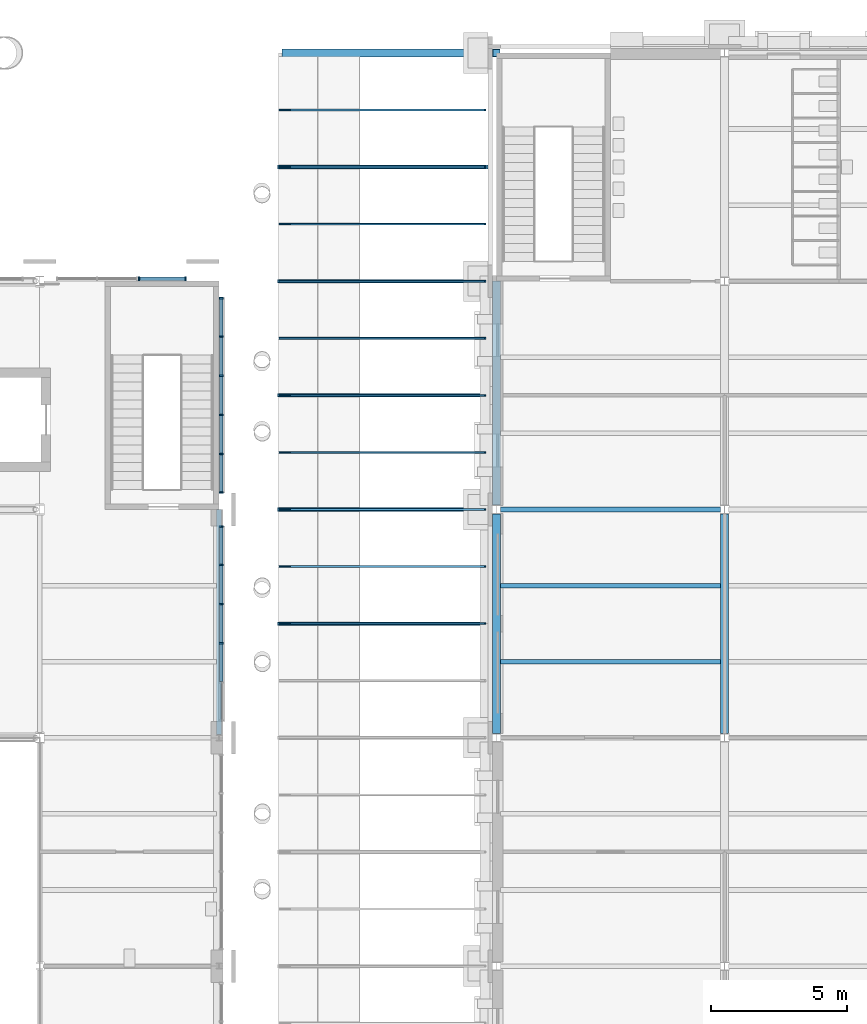
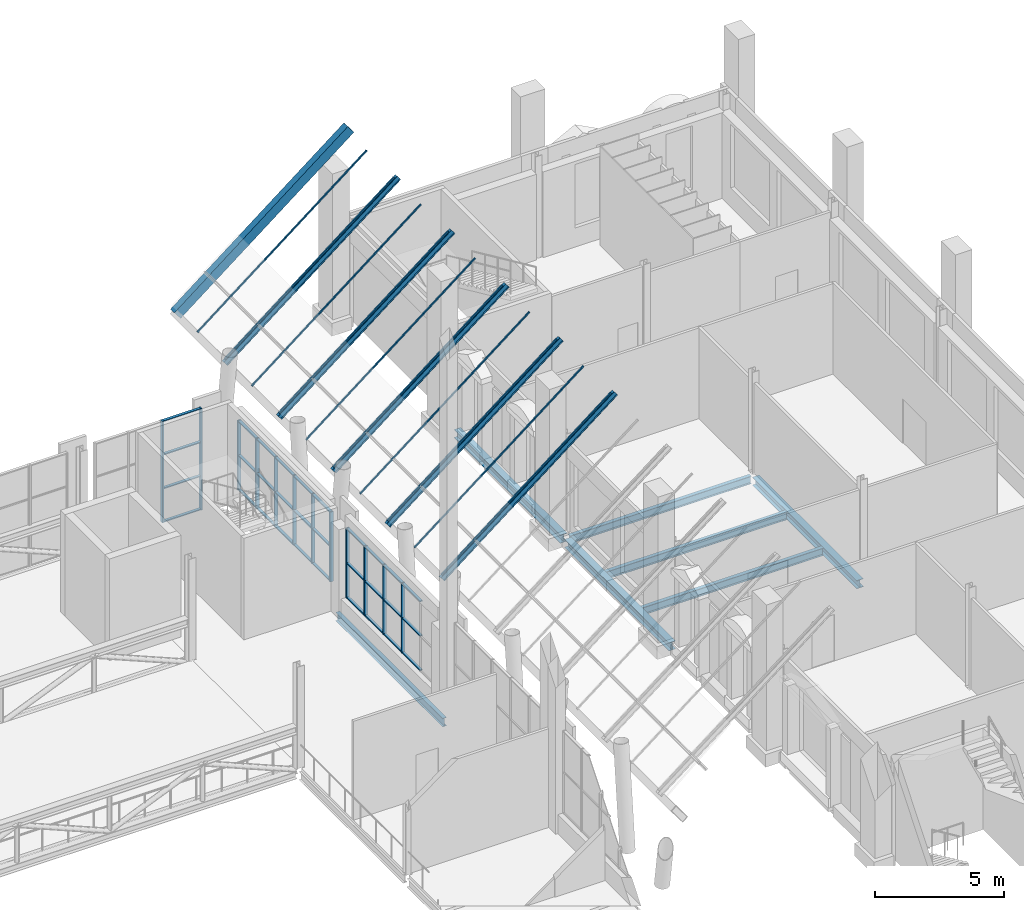
# One storey, part 38 of 76: 58 members, 8 beams, 3 elements without a shape of their own.
"""IFC4 building model written with IfcOpenShell, lengths in metres."""

import ifcopenshell
import ifcopenshell.guid

model = None  # the IFC model being written
_history = None  # IfcOwnerHistory: only IFC2X3 demands one
_inside = {}  # id of a spatial element -> (the spatial element, [elements in it])
_under = {}  # id of a project, library or spatial element -> (it, [spatial elements below it])
_declared = {}  # id of a project -> (the project, [libraries it declares])
_typed = {}  # id of a type object -> (the type object, [elements of that type])
_made_of = {}  # id of a material, layer set ... -> (it, [elements and type objects made of it])


def new_model(schema):
    """Start an empty IFC model of exactly this schema.

    Asked for "IFC4X3", IfcOpenShell would pick the latest addendum, in which some entities
    have other attributes; the version numbers below select the first issue.
    IFC2X3 requires an IfcOwnerHistory on every rooted entity: one is made here for all.
    """
    global model, _history
    if schema == "IFC4X3":
        model = ifcopenshell.file(schema_version=(4, 3, 0, 0))
    else:
        model = ifcopenshell.file(schema=schema)
    _inside.clear()
    _under.clear()
    _declared.clear()
    _typed.clear()
    _made_of.clear()
    _history = None
    if model.schema == "IFC2X3":
        org = make("IfcOrganization", Name="unknown")
        user = make(
            "IfcPersonAndOrganization",
            ThePerson=make("IfcPerson", FamilyName="unknown"),
            TheOrganization=org,
        )
        app = make(
            "IfcApplication",
            ApplicationDeveloper=org,
            Version="unknown",
            ApplicationFullName="unknown",
            ApplicationIdentifier="unknown",
        )
        _history = make(
            "IfcOwnerHistory",
            OwningUser=user,
            OwningApplication=app,
            ChangeAction="ADDED",
            CreationDate=0,
        )
    return model


def make(cls, **values):
    """One entity of the class cls with the attributes given. An attribute that is None is left unset."""
    return model.create_entity(
        cls, **{name: value for name, value in values.items() if value is not None}
    )


def rooted(cls, **values):
    """An entity with a GlobalId (a new one), such as an element, a storey or a relation."""
    return make(cls, GlobalId=ifcopenshell.guid.new(), OwnerHistory=_history, **values)


def si_unit(unit_type, name, prefix=None):
    """IfcSIUnit, for example si_unit("LENGTHUNIT", "METRE", prefix="MILLI")."""
    return make("IfcSIUnit", UnitType=unit_type, Prefix=prefix, Name=name)


def assignment(units):
    """IfcUnitAssignment: the units of a project."""
    return None if units is None else make("IfcUnitAssignment", Units=units)


def point(xyz):
    """IfcCartesianPoint."""
    return None if xyz is None else make("IfcCartesianPoint", Coordinates=xyz)


def direction(xyz):
    """IfcDirection."""
    return None if xyz is None else make("IfcDirection", DirectionRatios=xyz)


def frame(location, z_axis=None, x_axis=None):
    """IfcAxis2Placement3D, a coordinate frame: its origin and axes. An axis left out is left unset."""
    return make(
        "IfcAxis2Placement3D",
        Location=point(location),
        Axis=direction(z_axis),
        RefDirection=direction(x_axis),
    )


def frame_2d(location, x_axis=None):
    """IfcAxis2Placement2D, a coordinate frame in the plane: its origin and x axis."""
    return make(
        "IfcAxis2Placement2D", Location=point(location), RefDirection=direction(x_axis)
    )


def origin():
    """The frame at (0, 0, 0) with its axes left unset."""
    return frame((0.0, 0.0, 0.0))


def origin_2d():
    """The frame at (0, 0) in the plane with its x axis left unset."""
    return frame_2d((0.0, 0.0))


def place(relative_to, where):
    """IfcLocalPlacement: puts the frame where relative to a parent placement (None: the world)."""
    return make(
        "IfcLocalPlacement", PlacementRelTo=relative_to, RelativePlacement=where
    )


def context(
    kind, dimensions, precision=None, world=None, true_north=None, identifier=None
):
    """IfcGeometricRepresentationContext, for example the 3D "Model" context."""
    return make(
        "IfcGeometricRepresentationContext",
        ContextIdentifier=identifier,
        ContextType=kind,
        CoordinateSpaceDimension=dimensions,
        Precision=precision,
        WorldCoordinateSystem=world,
        TrueNorth=true_north,
    )


def subcontext(parent, identifier, kind, view, scale=None):
    """IfcGeometricRepresentationSubContext, for example "Body" below "Model"."""
    return make(
        "IfcGeometricRepresentationSubContext",
        ContextIdentifier=identifier,
        ContextType=kind,
        ParentContext=parent,
        TargetScale=scale,
        TargetView=view,
    )


def project(units=None, contexts=None):
    """IfcProject with its units and contexts."""
    return rooted(
        "IfcProject",
        Name="project",
        RepresentationContexts=contexts,
        UnitsInContext=assignment(units),
    )


def spatial(cls, under=None, at=None, **own):
    """A site, building, storey or space (cls), placed at a placement, below another one or the project."""
    s = rooted(cls, ObjectPlacement=at, **own)
    if under is not None:
        _under.setdefault(under.id(), (under, []))[1].append(s)
    return s


def polyline(points):
    """IfcPolyline through the points."""
    return make("IfcPolyline", Points=[point(p) for p in points])


def profile(cls, at=None, kind="AREA", **sizes):
    """A parametric profile (cls). Its sizes go by their IFC names, for example OverallWidth=200.0."""
    return make(cls, ProfileType=kind, Position=at, **sizes)


def rectangle(**sizes):
    """IfcRectangleProfileDef."""
    return profile("IfcRectangleProfileDef", **sizes)


def i_section(**sizes):
    """IfcIShapeProfileDef."""
    return profile("IfcIShapeProfileDef", **sizes)


def outline(outer, holes=None, kind="AREA"):
    """IfcArbitraryClosedProfileDef: a profile drawn as a closed curve; with holes, ...WithVoids."""
    if holes is None:
        return make("IfcArbitraryClosedProfileDef", ProfileType=kind, OuterCurve=outer)
    return make(
        "IfcArbitraryProfileDefWithVoids",
        ProfileType=kind,
        OuterCurve=outer,
        InnerCurves=holes,
    )


def extrude(swept, where, along, depth):
    """IfcExtrudedAreaSolid: the profile swept, set in the frame where, extruded along a direction by depth."""
    return make(
        "IfcExtrudedAreaSolid",
        SweptArea=swept,
        Position=where,
        ExtrudedDirection=direction(along),
        Depth=depth,
    )


def shape(context_of_items, identifier, shape_type, items):
    """IfcShapeRepresentation: the items that make up one representation, for example the "Body"."""
    return make(
        "IfcShapeRepresentation",
        ContextOfItems=context_of_items,
        RepresentationIdentifier=identifier,
        RepresentationType=shape_type,
        Items=items,
    )


def material(Name=None, Category=None):
    """IfcMaterial."""
    return make("IfcMaterial", Name=Name, Category=Category)


def material_profile(
    of_material, cross_section, Name=None, Category=None, Priority=None
):
    """IfcMaterialProfile: a cross section and its material."""
    return make(
        "IfcMaterialProfile",
        Name=Name,
        Material=of_material,
        Profile=cross_section,
        Priority=Priority,
        Category=Category,
    )


def profile_set(profiles, Name=None, composite=None):
    """IfcMaterialProfileSet."""
    return make(
        "IfcMaterialProfileSet",
        Name=Name,
        MaterialProfiles=profiles,
        CompositeProfile=composite,
    )


def made_of(thing, what):
    """Note that an element or type object is made of a material, layer set ...; save() writes the relation."""
    if what is not None:
        _made_of.setdefault(what.id(), (what, []))[1].append(thing)
    return thing


def type_object(cls, material=None, **own):
    """A type object (cls), such as IfcWallType, which elements share."""
    return made_of(rooted(cls, **own), material)


def element(
    cls,
    number,
    at=None,
    inside=None,
    cuts=None,
    type_object=None,
    material=None,
    context=None,
    identifier="Body",
    shape_type=None,
    held_by="IfcProductDefinitionShape",
    body=None,
    shapes=None,
    **own,
):
    """One element of the class cls, such as IfcWall. Its Tag is "e" and its number.

    at: its placement. inside: the storey or other place that contains it. cuts: it is an
    opening in that element (IfcRelVoidsElement). A single representation is given by context,
    identifier, shape_type and body (its items); several are given by shapes. held_by: the class
    of the entity that holds the representations. save() writes the other relations.
    """
    e = rooted(cls, Tag="e%d" % number, ObjectPlacement=at, **own)
    if body is not None:
        shapes = [shape(context, identifier, shape_type, body)]
    if shapes is not None:
        e.Representation = make(held_by, Representations=shapes)
    if inside is not None:
        _inside.setdefault(inside.id(), (inside, []))[1].append(e)
    if cuts is not None:
        rooted(
            "IfcRelVoidsElement", RelatingBuildingElement=cuts, RelatedOpeningElement=e
        )
    if type_object is not None:
        _typed.setdefault(type_object.id(), (type_object, []))[1].append(e)
    return made_of(e, material)


def aggregate(whole, parts):
    """IfcRelAggregates: a whole, such as a stair, and the parts it consists of."""
    return rooted("IfcRelAggregates", RelatingObject=whole, RelatedObjects=parts)


def save(model, path):
    """Write the relations noted so far, then the file.

    IfcRelAggregates (storeys below a building ...), IfcRelContainedInSpatialStructure (elements
    in a storey), IfcRelDefinesByType, IfcRelAssociatesMaterial and IfcRelDeclares: one each for
    every whole, place, type object, material and project.
    """
    for whole, parts in _under.values():
        aggregate(whole, parts)
    for where, things in _inside.values():
        rooted(
            "IfcRelContainedInSpatialStructure",
            RelatedElements=things,
            RelatingStructure=where,
        )
    for kind, things in _typed.values():
        rooted("IfcRelDefinesByType", RelatedObjects=things, RelatingType=kind)
    for what, things in _made_of.values():
        rooted("IfcRelAssociatesMaterial", RelatedObjects=things, RelatingMaterial=what)
    for by, libraries in _declared.values():
        rooted("IfcRelDeclares", RelatingContext=by, RelatedDefinitions=libraries)
    model.write(path)


model = new_model("IFC4")

# Units and contexts
model_context = context("Model", 3, precision=1e-05, world=origin(), true_north=direction((0.0, 1.0)))
body_context = subcontext(model_context, "Body", "Model", "MODEL_VIEW")
ifc_project = project(units=[si_unit("LENGTHUNIT", "METRE"), si_unit("AREAUNIT", "SQUARE_METRE"), si_unit("VOLUMEUNIT", "CUBIC_METRE"), si_unit("PLANEANGLEUNIT", "RADIAN"), si_unit("MASSUNIT", "GRAM", prefix="KILO")], contexts=[model_context])

# Site, building, storey
site_placement = place(None, origin())
site = spatial("IfcSite", under=ifc_project, at=site_placement, CompositionType="ELEMENT")
building_placement = place(site_placement, origin())
building = spatial("IfcBuilding", under=site, at=building_placement, Name="Sava Quay Ferry Terminal", CompositionType="ELEMENT")
storey_placement = place(building_placement, frame((0.0, 0.0, 6.0)))
storey = spatial("IfcBuildingStorey", under=building, at=storey_placement, Name="L01", CompositionType="ELEMENT", Elevation=6.0)

# Beams
ifc_material_1 = material(Name="Steel S355", Category="steel")
ifc_material_profile_1 = material_profile(ifc_material_1, i_section(OverallWidth=0.169921875, OverallDepth=0.360107421875, WebThickness=0.008056640625, FlangeThickness=0.0126953125, at=origin_2d()), Name="IPE 360")
ifc_profile_set_1 = profile_set([ifc_material_profile_1], Name="Steel S355")
beam_type_1 = type_object("IfcBeamType", Name="Beam IPE 360", PredefinedType="BEAM", material=ifc_profile_set_1)
for number, where, z_axis, x_axis, name in (
    (1, (92.550048828125, 92.39990234375, -0.31005859375), (1.0, 0.0, 0.0), (0.0, 1.0, 0.0), "Beam L01"),
    (2, (92.550048828125, 86.800048828125, -0.31005859375), (1.0, 0.0, 0.0), (0.0, 1.0, 0.0), "Secondary beam L01"),
    (3, (92.550048828125, 89.60009765625, -0.31005859375), (1.0, 0.0, 0.0), (0.0, 1.0, 0.0), "Secondary beam L01"),
):
    element("IfcBeam", number, at=place(storey_placement, frame(where, z_axis=z_axis, x_axis=x_axis)), inside=storey, type_object=beam_type_1, Name=name, PredefinedType="BEAM", context=body_context, shape_type="SweptSolid", body=[
        extrude(i_section(OverallWidth=0.169921875, OverallDepth=0.360107421875, WebThickness=0.008056640625, FlangeThickness=0.0126953125, at=origin_2d()), origin(), (0.0, 0.0, 1.0), 8.099853515625),
    ])
ifc_material_2 = material(Name="Steel S355", Category="steel")
ifc_material_profile_2 = material_profile(ifc_material_2, i_section(OverallWidth=0.179931640625, OverallDepth=0.39990234375, WebThickness=0.008544921875, FlangeThickness=0.013427734375, at=origin_2d()), Name="IPE 400")
ifc_profile_set_2 = profile_set([ifc_material_profile_2], Name="Steel S355")
beam_type_2 = type_object("IfcBeamType", Name="Beam IPE 400", PredefinedType="BEAM", material=ifc_profile_set_2)
beam_1_placement = place(storey_placement, frame((82.199951171875, 84.1201171875, -0.330078125), z_axis=(0.0, 1.0, 0.0), x_axis=(-1.0, 0.0, 0.0)))
element("IfcBeam", 4, at=beam_1_placement, inside=storey, type_object=beam_type_2, Name="Girder L01", PredefinedType="BEAM", context=body_context, shape_type="SweptSolid", body=[
    extrude(i_section(OverallWidth=0.179931640625, OverallDepth=0.39990234375, WebThickness=0.008544921875, FlangeThickness=0.013427734375, at=origin_2d()), origin(), (0.0, 0.0, 1.0), 8.27978515625),
])
ifc_material_3 = material(Name="Steel S355", Category="steel")
ifc_material_profile_3 = material_profile(ifc_material_3, outline(polyline([(-0.14990234375, -0.228515625), (0.14990234375, -0.228515625), (0.14990234375, 0.228515625), (-0.14990234375, 0.228515625), (-0.14990234375, -0.228515625)]), holes=[polyline([(-0.1298828125, -0.20849609375), (-0.1298828125, 0.20849609375), (0.1298828125, 0.20849609375), (0.1298828125, -0.20849609375), (-0.1298828125, -0.20849609375)])]), Name="Box 457x300x20 built-up")
ifc_profile_set_3 = profile_set([ifc_material_profile_3], Name="Steel S355")
beam_type_3 = type_object("IfcBeamType", Name="Fascia beam Box 457x300x20", PredefinedType="BEAM", material=ifc_profile_set_3)
beam_2_placement = place(storey_placement, frame((92.39990234375, 109.199951171875, 9.0), z_axis=(-0.786314900633, 0.0, -0.617825927784), x_axis=(0.0, -1.0, 0.0)))
element("IfcBeam", 5, at=beam_2_placement, inside=storey, type_object=beam_type_3, Name="Passage roof edge fascia beam ED2", PredefinedType="BEAM", context=body_context, shape_type="SweptSolid", body=[
    extrude(outline(polyline([(-0.14990234375, -0.228515625), (0.14990234375, -0.228515625), (0.14990234375, 0.228515625), (-0.14990234375, 0.228515625), (-0.14990234375, -0.228515625)]), holes=[polyline([(-0.1298828125, -0.20849609375), (-0.1298828125, 0.20849609375), (0.1298828125, 0.20849609375), (0.1298828125, -0.20849609375), (-0.1298828125, -0.20849609375)])]), origin(), (0.0, 0.0, 1.0), 9.856201171875),
])
ifc_material_4 = material(Name="Steel S355", Category="steel")
ifc_material_profile_4 = material_profile(ifc_material_4, i_section(OverallWidth=0.300048828125, OverallDepth=0.389892578125, WebThickness=0.010986328125, FlangeThickness=0.01904296875, at=origin_2d()), Name="HE 400 A")
ifc_profile_set_4 = profile_set([ifc_material_profile_4], Name="Steel S355")
beam_type_4 = type_object("IfcBeamType", Name="Girder HE 400 A", PredefinedType="BEAM", material=ifc_profile_set_4)
beam_3_placement = place(storey_placement, frame((92.39990234375, 84.159912109375, -0.324951171875), z_axis=(0.0, 1.0, 0.0), x_axis=(-1.0, 0.0, 0.0)))
element("IfcBeam", 6, at=beam_3_placement, inside=storey, type_object=beam_type_4, Name="Girder L01", PredefinedType="BEAM", context=body_context, shape_type="SweptSolid", body=[
    extrude(i_section(OverallWidth=0.300048828125, OverallDepth=0.389892578125, WebThickness=0.010986328125, FlangeThickness=0.01904296875, at=origin_2d()), origin(), (0.0, 0.0, 1.0), 8.080078125),
])
beam_4_placement = place(storey_placement, frame((92.39990234375, 92.56005859375, -0.324951171875), z_axis=(0.0, 1.0, 0.0), x_axis=(-1.0, 0.0, 0.0)))
element("IfcBeam", 7, at=beam_4_placement, inside=storey, type_object=beam_type_4, Name="Girder L01", PredefinedType="BEAM", context=body_context, shape_type="SweptSolid", body=[
    extrude(i_section(OverallWidth=0.300048828125, OverallDepth=0.389892578125, WebThickness=0.010986328125, FlangeThickness=0.01904296875, at=origin_2d()), origin(), (0.0, 0.0, 1.0), 8.239990234375),
])
beam_5_placement = place(storey_placement, frame((100.800048828125, 84.159912109375, -0.324951171875), z_axis=(0.0, 1.0, 0.0), x_axis=(-1.0, 0.0, 0.0)))
element("IfcBeam", 8, at=beam_5_placement, inside=storey, type_object=beam_type_4, Name="Girder L01", PredefinedType="BEAM", context=body_context, shape_type="SweptSolid", body=[
    extrude(i_section(OverallWidth=0.300048828125, OverallDepth=0.389892578125, WebThickness=0.010986328125, FlangeThickness=0.01904296875, at=origin_2d()), origin(), (0.0, 0.0, 1.0), 8.080078125),
])

# Members
ifc_material_5 = material(Name="Aluminium EN AW-6063 T6", Category="aluminium")
ifc_material_profile_5 = material_profile(ifc_material_5, rectangle(XDim=0.06005859375, YDim=0.06005859375, at=origin_2d()), Name="Bar 60 x 60")
ifc_profile_set_5 = profile_set([ifc_material_profile_5], Name="Aluminium EN AW-6063 T6")
member_type_1 = type_object("IfcMemberType", Name="Glazing bar 60x60", PredefinedType="USERDEFINED", material=ifc_profile_set_5)
for number, where, z_axis, x_axis, name in (
    (9, (84.413330078125, 107.10009765625, 3.39697265625), (0.78632361853, 0.0, 0.617814832245), (0.0, 1.0, 0.0), "Passage roof glazing bar GL1"),
    (10, (84.413330078125, 105.0, 3.39697265625), (0.78632361853, 0.0, 0.617814832245), (0.0, 1.0, 0.0), "Passage roof glazing bar GL2"),
    (11, (84.413330078125, 102.89990234375, 3.39697265625), (0.78632361853, 0.0, 0.617814832245), (0.0, 1.0, 0.0), "Passage roof glazing bar GL3"),
    (12, (84.413330078125, 100.800048828125, 3.39697265625), (0.78632361853, 0.0, 0.617814832245), (0.0, 1.0, 0.0), "Passage roof glazing bar GL4"),
    (13, (84.413330078125, 98.699951171875, 3.39697265625), (0.78632361853, 0.0, 0.617814832245), (0.0, 1.0, 0.0), "Passage roof glazing bar GL5"),
    (14, (84.413330078125, 96.60009765625, 3.39697265625), (0.78632361853, 0.0, 0.617814832245), (0.0, 1.0, 0.0), "Passage roof glazing bar GL6"),
    (15, (84.413330078125, 94.5, 3.39697265625), (0.78632361853, 0.0, 0.617814832245), (0.0, 1.0, 0.0), "Passage roof glazing bar GL7"),
    (16, (84.413330078125, 92.39990234375, 3.39697265625), (0.78632361853, 0.0, 0.617814832245), (0.0, 1.0, 0.0), "Passage roof glazing bar GL8"),
    (17, (84.413330078125, 90.300048828125, 3.39697265625), (0.78632361853, 0.0, 0.617814832245), (0.0, 1.0, 0.0), "Passage roof glazing bar GL9"),
    (18, (84.413330078125, 88.199951171875, 3.39697265625), (0.78632361853, 0.0, 0.617814832245), (0.0, 1.0, 0.0), "Passage roof glazing bar GL10"),
):
    element("IfcMember", number, at=place(storey_placement, frame(where, z_axis=z_axis, x_axis=x_axis)), inside=storey, type_object=member_type_1, Name=name, ObjectType="GLAZING BAR", PredefinedType="USERDEFINED", context=body_context, shape_type="SweptSolid", body=[
        extrude(rectangle(XDim=0.06005859375, YDim=0.06005859375, at=origin_2d()), origin(), (0.0, 0.0, 1.0), 9.62744140625),
    ])

# Curtain wall, members
ifc_material_6 = material(Name="Aluminium and glass curtain wall, double low-e glazed", Category="aluminium")
curtain_wall_type_1 = type_object("IfcCurtainWallType", Name="Curtain wall CW-F flank", PredefinedType="NOTDEFINED", material=ifc_material_6)
curtain_wall_1_placement = place(storey_placement, origin())
curtain_wall_1 = element("IfcCurtainWall", 19, at=curtain_wall_1_placement, inside=storey, type_object=curtain_wall_type_1, Name="Curtain wall D-E L01 bay 5", PredefinedType="NOTDEFINED")
ifc_material_7 = material(Name="Aluminium EN AW-6063 T6", Category="aluminium")
ifc_material_profile_6 = material_profile(ifc_material_7, rectangle(XDim=0.14990234375, YDim=0.06005859375, at=origin_2d()), Name="Mullion 60x150 aluminium")
ifc_profile_set_6 = profile_set([ifc_material_profile_6], Name="Aluminium EN AW-6063 T6")
member_type_2 = type_object("IfcMemberType", Name="Mullion 60x150 aluminium", PredefinedType="MULLION", material=ifc_profile_set_6)
member_1_placement = place(storey_placement, frame((82.27490234375, 87.47998046875, 0.89990234375), z_axis=(0.0, 0.0, 1.0), x_axis=(-1.0, 0.0, 0.0)))
member_1 = element("IfcMember", 20, at=member_1_placement, type_object=member_type_2, Name="CW52 mullion 3", PredefinedType="MULLION", context=body_context, shape_type="SweptSolid", body=[
    extrude(rectangle(XDim=0.14990234375, YDim=0.06005859375, at=origin_2d()), origin(), (0.0, 0.0, 1.0), 3.300048828125),
])
member_2_placement = place(storey_placement, frame((82.27490234375, 88.919921875, 0.89990234375), z_axis=(0.0, 0.0, 1.0), x_axis=(-1.0, 0.0, 0.0)))
member_2 = element("IfcMember", 21, at=member_2_placement, type_object=member_type_2, Name="CW52 mullion 4", PredefinedType="MULLION", context=body_context, shape_type="SweptSolid", body=[
    extrude(rectangle(XDim=0.14990234375, YDim=0.06005859375, at=origin_2d()), origin(), (0.0, 0.0, 1.0), 3.300048828125),
])
member_3_placement = place(storey_placement, frame((82.27490234375, 90.360107421875, 0.89990234375), z_axis=(0.0, 0.0, 1.0), x_axis=(-1.0, 0.0, 0.0)))
member_3 = element("IfcMember", 22, at=member_3_placement, type_object=member_type_2, Name="CW52 mullion 5", PredefinedType="MULLION", context=body_context, shape_type="SweptSolid", body=[
    extrude(rectangle(XDim=0.14990234375, YDim=0.06005859375, at=origin_2d()), origin(), (0.0, 0.0, 1.0), 3.300048828125),
])
member_4_placement = place(storey_placement, frame((82.27490234375, 91.77001953125, 0.89990234375), z_axis=(0.0, 0.0, 1.0), x_axis=(-1.0, 0.0, 0.0)))
member_4 = element("IfcMember", 23, at=member_4_placement, type_object=member_type_2, Name="CW52 mullion 6", PredefinedType="MULLION", context=body_context, shape_type="SweptSolid", body=[
    extrude(rectangle(XDim=0.14990234375, YDim=0.06005859375, at=origin_2d()), origin(), (0.0, 0.0, 1.0), 3.300048828125),
])

curtain_wall_2_placement = place(storey_placement, origin())
curtain_wall_2 = element("IfcCurtainWall", 24, at=curtain_wall_2_placement, inside=storey, type_object=curtain_wall_type_1, Name="Curtain wall D-E L01 bay 6", PredefinedType="NOTDEFINED")
member_5_placement = place(storey_placement, frame((82.27490234375, 93.030029296875, 0.89990234375), z_axis=(0.0, 0.0, 1.0), x_axis=(-1.0, 0.0, 0.0)))
member_5 = element("IfcMember", 25, at=member_5_placement, type_object=member_type_2, Name="CW53 mullion 1", PredefinedType="MULLION", context=body_context, shape_type="SweptSolid", body=[
    extrude(rectangle(XDim=0.14990234375, YDim=0.06005859375, at=origin_2d()), origin(), (0.0, 0.0, 1.0), 3.300048828125),
])
member_6_placement = place(storey_placement, frame((82.27490234375, 94.43994140625, 0.89990234375), z_axis=(0.0, 0.0, 1.0), x_axis=(-1.0, 0.0, 0.0)))
member_6 = element("IfcMember", 26, at=member_6_placement, type_object=member_type_2, Name="CW53 mullion 2", PredefinedType="MULLION", context=body_context, shape_type="SweptSolid", body=[
    extrude(rectangle(XDim=0.14990234375, YDim=0.06005859375, at=origin_2d()), origin(), (0.0, 0.0, 1.0), 3.300048828125),
])
member_7_placement = place(storey_placement, frame((82.27490234375, 95.8798828125, 0.89990234375), z_axis=(0.0, 0.0, 1.0), x_axis=(-1.0, 0.0, 0.0)))
member_7 = element("IfcMember", 27, at=member_7_placement, type_object=member_type_2, Name="CW53 mullion 3", PredefinedType="MULLION", context=body_context, shape_type="SweptSolid", body=[
    extrude(rectangle(XDim=0.14990234375, YDim=0.06005859375, at=origin_2d()), origin(), (0.0, 0.0, 1.0), 3.300048828125),
])
member_8_placement = place(storey_placement, frame((82.27490234375, 97.320068359375, 0.89990234375), z_axis=(0.0, 0.0, 1.0), x_axis=(-1.0, 0.0, 0.0)))
member_8 = element("IfcMember", 28, at=member_8_placement, type_object=member_type_2, Name="CW53 mullion 4", PredefinedType="MULLION", context=body_context, shape_type="SweptSolid", body=[
    extrude(rectangle(XDim=0.14990234375, YDim=0.06005859375, at=origin_2d()), origin(), (0.0, 0.0, 1.0), 3.300048828125),
])
member_9_placement = place(storey_placement, frame((82.27490234375, 98.760009765625, 0.89990234375), z_axis=(0.0, 0.0, 1.0), x_axis=(-1.0, 0.0, 0.0)))
member_9 = element("IfcMember", 29, at=member_9_placement, type_object=member_type_2, Name="CW53 mullion 5", PredefinedType="MULLION", context=body_context, shape_type="SweptSolid", body=[
    extrude(rectangle(XDim=0.14990234375, YDim=0.06005859375, at=origin_2d()), origin(), (0.0, 0.0, 1.0), 3.300048828125),
])
member_10_placement = place(storey_placement, frame((82.27490234375, 100.169921875, 0.89990234375), z_axis=(0.0, 0.0, 1.0), x_axis=(-1.0, 0.0, 0.0)))
member_10 = element("IfcMember", 30, at=member_10_placement, type_object=member_type_2, Name="CW53 mullion 6", PredefinedType="MULLION", context=body_context, shape_type="SweptSolid", body=[
    extrude(rectangle(XDim=0.14990234375, YDim=0.06005859375, at=origin_2d()), origin(), (0.0, 0.0, 1.0), 3.300048828125),
])

ifc_material_8 = material(Name="Aluminium and glass curtain wall, double low-e glazed", Category="aluminium")
curtain_wall_type_2 = type_object("IfcCurtainWallType", Name="Curtain wall CW-G gable", PredefinedType="NOTDEFINED", material=ifc_material_8)
curtain_wall_3_placement = place(storey_placement, origin())
curtain_wall_3 = element("IfcCurtainWall", 31, at=curtain_wall_3_placement, inside=storey, type_object=curtain_wall_type_2, Name="Curtain wall D-N L01 bay 61", PredefinedType="NOTDEFINED")
member_11_placement = place(storey_placement, frame((79.25, 100.885009765625, 0.0), z_axis=(0.0, 0.0, 1.0), x_axis=(0.0, 1.0, 0.0)))
member_11 = element("IfcMember", 32, at=member_11_placement, type_object=member_type_2, Name="CW86 mullion 1", PredefinedType="MULLION", context=body_context, shape_type="SweptSolid", body=[
    extrude(rectangle(XDim=0.14990234375, YDim=0.06005859375, at=origin_2d()), origin(), (0.0, 0.0, 1.0), 4.800048828125),
])
member_12_placement = place(storey_placement, frame((80.969970703125, 100.885009765625, 0.0), z_axis=(0.0, 0.0, 1.0), x_axis=(0.0, 1.0, 0.0)))
member_12 = element("IfcMember", 33, at=member_12_placement, type_object=member_type_2, Name="CW86 mullion 2", PredefinedType="MULLION", context=body_context, shape_type="SweptSolid", body=[
    extrude(rectangle(XDim=0.14990234375, YDim=0.06005859375, at=origin_2d()), origin(), (0.0, 0.0, 1.0), 4.800048828125),
])

# Members
ifc_material_9 = material(Name="Steel S355", Category="steel")
ifc_material_profile_7 = material_profile(ifc_material_9, i_section(OverallWidth=0.135009765625, OverallDepth=0.27001953125, WebThickness=0.006591796875, FlangeThickness=0.01025390625, at=origin_2d()), Name="IPE 270")
ifc_profile_set_7 = profile_set([ifc_material_profile_7], Name="Steel S355")
member_type_3 = type_object("IfcMemberType", Name="Roof rafter IPE 270", PredefinedType="RAFTER", material=ifc_profile_set_7)
for number, where, z_axis, x_axis, name in (
    (34, (84.425537109375, 105.0, 3.196533203125), (0.786314900633, 0.0, 0.617825927784), (0.0, 1.0, 0.0), "Passage roof rafter RA1"),
    (35, (84.425537109375, 100.800048828125, 3.196533203125), (0.786314900633, 0.0, 0.617825927784), (0.0, 1.0, 0.0), "Passage roof rafter RA2"),
    (36, (84.425537109375, 96.60009765625, 3.196533203125), (0.786314900633, 0.0, 0.617825927784), (0.0, 1.0, 0.0), "Passage roof rafter RA3"),
    (37, (84.425537109375, 92.39990234375, 3.196533203125), (0.786314900633, 0.0, 0.617825927784), (0.0, 1.0, 0.0), "Passage roof rafter RA4"),
    (38, (84.425537109375, 88.199951171875, 3.196533203125), (0.786314900633, 0.0, 0.617825927784), (0.0, 1.0, 0.0), "Passage roof rafter RA5"),
):
    element("IfcMember", number, at=place(storey_placement, frame(where, z_axis=z_axis, x_axis=x_axis)), inside=storey, type_object=member_type_3, Name=name, PredefinedType="RAFTER", context=body_context, shape_type="SweptSolid", body=[
        extrude(i_section(OverallWidth=0.135009765625, OverallDepth=0.27001953125, WebThickness=0.006591796875, FlangeThickness=0.01025390625, at=origin_2d()), origin(), (0.0, 0.0, 1.0), 9.856201171875),
    ])

# Member
ifc_material_10 = material(Name="Aluminium EN AW-6063 T6", Category="aluminium")
ifc_material_profile_8 = material_profile(ifc_material_10, rectangle(XDim=0.1201171875, YDim=0.050048828125, at=origin_2d()), Name="Transom 50x120 aluminium")
ifc_profile_set_8 = profile_set([ifc_material_profile_8], Name="Aluminium EN AW-6063 T6")
member_type_4 = type_object("IfcMemberType", Name="Transom 50x120 aluminium", PredefinedType="USERDEFINED", material=ifc_profile_set_8)
member_13_placement = place(storey_placement, frame((82.27490234375, 86.070068359375, 0.925048828125), z_axis=(0.0, 1.0, 0.0), x_axis=(-1.0, 0.0, 0.0)))
member_13 = element("IfcMember", 39, at=member_13_placement, type_object=member_type_4, Name="CW52 transom 2.1", ObjectType="TRANSOM", PredefinedType="USERDEFINED", context=body_context, shape_type="SweptSolid", body=[
    extrude(rectangle(XDim=0.1201171875, YDim=0.050048828125, at=origin_2d()), origin(), (0.0, 0.0, 1.0), 1.3798828125),
])

member_14_placement = place(storey_placement, frame((82.27490234375, 86.070068359375, 2.550048828125), z_axis=(0.0, 1.0, 0.0), x_axis=(-1.0, 0.0, 0.0)))
member_14 = element("IfcMember", 40, at=member_14_placement, type_object=member_type_4, Name="CW52 transom 2.2", ObjectType="TRANSOM", PredefinedType="USERDEFINED", context=body_context, shape_type="SweptSolid", body=[
    extrude(rectangle(XDim=0.1201171875, YDim=0.050048828125, at=origin_2d()), origin(), (0.0, 0.0, 1.0), 1.3798828125),
])

member_15_placement = place(storey_placement, frame((82.27490234375, 86.070068359375, 4.175048828125), z_axis=(0.0, 1.0, 0.0), x_axis=(-1.0, 0.0, 0.0)))
member_15 = element("IfcMember", 41, at=member_15_placement, type_object=member_type_4, Name="CW52 transom 2.3", ObjectType="TRANSOM", PredefinedType="USERDEFINED", context=body_context, shape_type="SweptSolid", body=[
    extrude(rectangle(XDim=0.1201171875, YDim=0.050048828125, at=origin_2d()), origin(), (0.0, 0.0, 1.0), 1.3798828125),
])

member_16_placement = place(storey_placement, frame((82.27490234375, 87.510009765625, 0.925048828125), z_axis=(0.0, 1.0, 0.0), x_axis=(-1.0, 0.0, 0.0)))
member_16 = element("IfcMember", 42, at=member_16_placement, type_object=member_type_4, Name="CW52 transom 3.1", ObjectType="TRANSOM", PredefinedType="USERDEFINED", context=body_context, shape_type="SweptSolid", body=[
    extrude(rectangle(XDim=0.1201171875, YDim=0.050048828125, at=origin_2d()), origin(), (0.0, 0.0, 1.0), 1.3798828125),
])

member_17_placement = place(storey_placement, frame((82.27490234375, 87.510009765625, 2.550048828125), z_axis=(0.0, 1.0, 0.0), x_axis=(-1.0, 0.0, 0.0)))
member_17 = element("IfcMember", 43, at=member_17_placement, type_object=member_type_4, Name="CW52 transom 3.2", ObjectType="TRANSOM", PredefinedType="USERDEFINED", context=body_context, shape_type="SweptSolid", body=[
    extrude(rectangle(XDim=0.1201171875, YDim=0.050048828125, at=origin_2d()), origin(), (0.0, 0.0, 1.0), 1.3798828125),
])

member_18_placement = place(storey_placement, frame((82.27490234375, 87.510009765625, 4.175048828125), z_axis=(0.0, 1.0, 0.0), x_axis=(-1.0, 0.0, 0.0)))
member_18 = element("IfcMember", 44, at=member_18_placement, type_object=member_type_4, Name="CW52 transom 3.3", ObjectType="TRANSOM", PredefinedType="USERDEFINED", context=body_context, shape_type="SweptSolid", body=[
    extrude(rectangle(XDim=0.1201171875, YDim=0.050048828125, at=origin_2d()), origin(), (0.0, 0.0, 1.0), 1.3798828125),
])

member_19_placement = place(storey_placement, frame((82.27490234375, 88.949951171875, 0.925048828125), z_axis=(0.0, 1.0, 0.0), x_axis=(-1.0, 0.0, 0.0)))
member_19 = element("IfcMember", 45, at=member_19_placement, type_object=member_type_4, Name="CW52 transom 4.1", ObjectType="TRANSOM", PredefinedType="USERDEFINED", context=body_context, shape_type="SweptSolid", body=[
    extrude(rectangle(XDim=0.1201171875, YDim=0.050048828125, at=origin_2d()), origin(), (0.0, 0.0, 1.0), 1.380126953125),
])

member_20_placement = place(storey_placement, frame((82.27490234375, 88.949951171875, 2.550048828125), z_axis=(0.0, 1.0, 0.0), x_axis=(-1.0, 0.0, 0.0)))
member_20 = element("IfcMember", 46, at=member_20_placement, type_object=member_type_4, Name="CW52 transom 4.2", ObjectType="TRANSOM", PredefinedType="USERDEFINED", context=body_context, shape_type="SweptSolid", body=[
    extrude(rectangle(XDim=0.1201171875, YDim=0.050048828125, at=origin_2d()), origin(), (0.0, 0.0, 1.0), 1.380126953125),
])

member_21_placement = place(storey_placement, frame((82.27490234375, 88.949951171875, 4.175048828125), z_axis=(0.0, 1.0, 0.0), x_axis=(-1.0, 0.0, 0.0)))
member_21 = element("IfcMember", 47, at=member_21_placement, type_object=member_type_4, Name="CW52 transom 4.3", ObjectType="TRANSOM", PredefinedType="USERDEFINED", context=body_context, shape_type="SweptSolid", body=[
    extrude(rectangle(XDim=0.1201171875, YDim=0.050048828125, at=origin_2d()), origin(), (0.0, 0.0, 1.0), 1.380126953125),
])

member_22_placement = place(storey_placement, frame((82.27490234375, 90.389892578125, 0.925048828125), z_axis=(0.0, 1.0, 0.0), x_axis=(-1.0, 0.0, 0.0)))
member_22 = element("IfcMember", 48, at=member_22_placement, type_object=member_type_4, Name="CW52 transom 5.1", ObjectType="TRANSOM", PredefinedType="USERDEFINED", context=body_context, shape_type="SweptSolid", body=[
    extrude(rectangle(XDim=0.1201171875, YDim=0.050048828125, at=origin_2d()), origin(), (0.0, 0.0, 1.0), 1.35009765625),
])

member_23_placement = place(storey_placement, frame((82.27490234375, 90.389892578125, 2.550048828125), z_axis=(0.0, 1.0, 0.0), x_axis=(-1.0, 0.0, 0.0)))
member_23 = element("IfcMember", 49, at=member_23_placement, type_object=member_type_4, Name="CW52 transom 5.2", ObjectType="TRANSOM", PredefinedType="USERDEFINED", context=body_context, shape_type="SweptSolid", body=[
    extrude(rectangle(XDim=0.1201171875, YDim=0.050048828125, at=origin_2d()), origin(), (0.0, 0.0, 1.0), 1.35009765625),
])

member_24_placement = place(storey_placement, frame((82.27490234375, 90.389892578125, 4.175048828125), z_axis=(0.0, 1.0, 0.0), x_axis=(-1.0, 0.0, 0.0)))
member_24 = element("IfcMember", 50, at=member_24_placement, type_object=member_type_4, Name="CW52 transom 5.3", ObjectType="TRANSOM", PredefinedType="USERDEFINED", context=body_context, shape_type="SweptSolid", body=[
    extrude(rectangle(XDim=0.1201171875, YDim=0.050048828125, at=origin_2d()), origin(), (0.0, 0.0, 1.0), 1.35009765625),
])

aggregate(curtain_wall_1, [member_1, member_2, member_3, member_4, member_13, member_14, member_15, member_16, member_17, member_18, member_19, member_20, member_21, member_22, member_23, member_24])

member_25_placement = place(storey_placement, frame((82.27490234375, 93.06005859375, 0.925048828125), z_axis=(0.0, 1.0, 0.0), x_axis=(-1.0, 0.0, 0.0)))
member_25 = element("IfcMember", 51, at=member_25_placement, type_object=member_type_4, Name="CW53 transom 1.1", ObjectType="TRANSOM", PredefinedType="USERDEFINED", context=body_context, shape_type="SweptSolid", body=[
    extrude(rectangle(XDim=0.1201171875, YDim=0.050048828125, at=origin_2d()), origin(), (0.0, 0.0, 1.0), 1.349853515625),
])

member_26_placement = place(storey_placement, frame((82.27490234375, 93.06005859375, 2.550048828125), z_axis=(0.0, 1.0, 0.0), x_axis=(-1.0, 0.0, 0.0)))
member_26 = element("IfcMember", 52, at=member_26_placement, type_object=member_type_4, Name="CW53 transom 1.2", ObjectType="TRANSOM", PredefinedType="USERDEFINED", context=body_context, shape_type="SweptSolid", body=[
    extrude(rectangle(XDim=0.1201171875, YDim=0.050048828125, at=origin_2d()), origin(), (0.0, 0.0, 1.0), 1.349853515625),
])

member_27_placement = place(storey_placement, frame((82.27490234375, 93.06005859375, 4.175048828125), z_axis=(0.0, 1.0, 0.0), x_axis=(-1.0, 0.0, 0.0)))
member_27 = element("IfcMember", 53, at=member_27_placement, type_object=member_type_4, Name="CW53 transom 1.3", ObjectType="TRANSOM", PredefinedType="USERDEFINED", context=body_context, shape_type="SweptSolid", body=[
    extrude(rectangle(XDim=0.1201171875, YDim=0.050048828125, at=origin_2d()), origin(), (0.0, 0.0, 1.0), 1.349853515625),
])

member_28_placement = place(storey_placement, frame((82.27490234375, 94.469970703125, 0.925048828125), z_axis=(0.0, 1.0, 0.0), x_axis=(-1.0, 0.0, 0.0)))
member_28 = element("IfcMember", 54, at=member_28_placement, type_object=member_type_4, Name="CW53 transom 2.1", ObjectType="TRANSOM", PredefinedType="USERDEFINED", context=body_context, shape_type="SweptSolid", body=[
    extrude(rectangle(XDim=0.1201171875, YDim=0.050048828125, at=origin_2d()), origin(), (0.0, 0.0, 1.0), 1.380126953125),
])

member_29_placement = place(storey_placement, frame((82.27490234375, 94.469970703125, 2.550048828125), z_axis=(0.0, 1.0, 0.0), x_axis=(-1.0, 0.0, 0.0)))
member_29 = element("IfcMember", 55, at=member_29_placement, type_object=member_type_4, Name="CW53 transom 2.2", ObjectType="TRANSOM", PredefinedType="USERDEFINED", context=body_context, shape_type="SweptSolid", body=[
    extrude(rectangle(XDim=0.1201171875, YDim=0.050048828125, at=origin_2d()), origin(), (0.0, 0.0, 1.0), 1.380126953125),
])

member_30_placement = place(storey_placement, frame((82.27490234375, 94.469970703125, 4.175048828125), z_axis=(0.0, 1.0, 0.0), x_axis=(-1.0, 0.0, 0.0)))
member_30 = element("IfcMember", 56, at=member_30_placement, type_object=member_type_4, Name="CW53 transom 2.3", ObjectType="TRANSOM", PredefinedType="USERDEFINED", context=body_context, shape_type="SweptSolid", body=[
    extrude(rectangle(XDim=0.1201171875, YDim=0.050048828125, at=origin_2d()), origin(), (0.0, 0.0, 1.0), 1.380126953125),
])

member_31_placement = place(storey_placement, frame((82.27490234375, 95.909912109375, 0.925048828125), z_axis=(0.0, 1.0, 0.0), x_axis=(-1.0, 0.0, 0.0)))
member_31 = element("IfcMember", 57, at=member_31_placement, type_object=member_type_4, Name="CW53 transom 3.1", ObjectType="TRANSOM", PredefinedType="USERDEFINED", context=body_context, shape_type="SweptSolid", body=[
    extrude(rectangle(XDim=0.1201171875, YDim=0.050048828125, at=origin_2d()), origin(), (0.0, 0.0, 1.0), 1.380126953125),
])

member_32_placement = place(storey_placement, frame((82.27490234375, 95.909912109375, 2.550048828125), z_axis=(0.0, 1.0, 0.0), x_axis=(-1.0, 0.0, 0.0)))
member_32 = element("IfcMember", 58, at=member_32_placement, type_object=member_type_4, Name="CW53 transom 3.2", ObjectType="TRANSOM", PredefinedType="USERDEFINED", context=body_context, shape_type="SweptSolid", body=[
    extrude(rectangle(XDim=0.1201171875, YDim=0.050048828125, at=origin_2d()), origin(), (0.0, 0.0, 1.0), 1.380126953125),
])

member_33_placement = place(storey_placement, frame((82.27490234375, 95.909912109375, 4.175048828125), z_axis=(0.0, 1.0, 0.0), x_axis=(-1.0, 0.0, 0.0)))
member_33 = element("IfcMember", 59, at=member_33_placement, type_object=member_type_4, Name="CW53 transom 3.3", ObjectType="TRANSOM", PredefinedType="USERDEFINED", context=body_context, shape_type="SweptSolid", body=[
    extrude(rectangle(XDim=0.1201171875, YDim=0.050048828125, at=origin_2d()), origin(), (0.0, 0.0, 1.0), 1.380126953125),
])

member_34_placement = place(storey_placement, frame((82.27490234375, 97.35009765625, 0.925048828125), z_axis=(0.0, 1.0, 0.0), x_axis=(-1.0, 0.0, 0.0)))
member_34 = element("IfcMember", 60, at=member_34_placement, type_object=member_type_4, Name="CW53 transom 4.1", ObjectType="TRANSOM", PredefinedType="USERDEFINED", context=body_context, shape_type="SweptSolid", body=[
    extrude(rectangle(XDim=0.1201171875, YDim=0.050048828125, at=origin_2d()), origin(), (0.0, 0.0, 1.0), 1.3798828125),
])

member_35_placement = place(storey_placement, frame((82.27490234375, 97.35009765625, 2.550048828125), z_axis=(0.0, 1.0, 0.0), x_axis=(-1.0, 0.0, 0.0)))
member_35 = element("IfcMember", 61, at=member_35_placement, type_object=member_type_4, Name="CW53 transom 4.2", ObjectType="TRANSOM", PredefinedType="USERDEFINED", context=body_context, shape_type="SweptSolid", body=[
    extrude(rectangle(XDim=0.1201171875, YDim=0.050048828125, at=origin_2d()), origin(), (0.0, 0.0, 1.0), 1.3798828125),
])

member_36_placement = place(storey_placement, frame((82.27490234375, 97.35009765625, 4.175048828125), z_axis=(0.0, 1.0, 0.0), x_axis=(-1.0, 0.0, 0.0)))
member_36 = element("IfcMember", 62, at=member_36_placement, type_object=member_type_4, Name="CW53 transom 4.3", ObjectType="TRANSOM", PredefinedType="USERDEFINED", context=body_context, shape_type="SweptSolid", body=[
    extrude(rectangle(XDim=0.1201171875, YDim=0.050048828125, at=origin_2d()), origin(), (0.0, 0.0, 1.0), 1.3798828125),
])

member_37_placement = place(storey_placement, frame((82.27490234375, 98.7900390625, 0.925048828125), z_axis=(0.0, 1.0, 0.0), x_axis=(-1.0, 0.0, 0.0)))
member_37 = element("IfcMember", 63, at=member_37_placement, type_object=member_type_4, Name="CW53 transom 5.1", ObjectType="TRANSOM", PredefinedType="USERDEFINED", context=body_context, shape_type="SweptSolid", body=[
    extrude(rectangle(XDim=0.1201171875, YDim=0.050048828125, at=origin_2d()), origin(), (0.0, 0.0, 1.0), 1.349853515625),
])

member_38_placement = place(storey_placement, frame((82.27490234375, 98.7900390625, 2.550048828125), z_axis=(0.0, 1.0, 0.0), x_axis=(-1.0, 0.0, 0.0)))
member_38 = element("IfcMember", 64, at=member_38_placement, type_object=member_type_4, Name="CW53 transom 5.2", ObjectType="TRANSOM", PredefinedType="USERDEFINED", context=body_context, shape_type="SweptSolid", body=[
    extrude(rectangle(XDim=0.1201171875, YDim=0.050048828125, at=origin_2d()), origin(), (0.0, 0.0, 1.0), 1.349853515625),
])

member_39_placement = place(storey_placement, frame((82.27490234375, 98.7900390625, 4.175048828125), z_axis=(0.0, 1.0, 0.0), x_axis=(-1.0, 0.0, 0.0)))
member_39 = element("IfcMember", 65, at=member_39_placement, type_object=member_type_4, Name="CW53 transom 5.3", ObjectType="TRANSOM", PredefinedType="USERDEFINED", context=body_context, shape_type="SweptSolid", body=[
    extrude(rectangle(XDim=0.1201171875, YDim=0.050048828125, at=origin_2d()), origin(), (0.0, 0.0, 1.0), 1.349853515625),
])

aggregate(curtain_wall_2, [member_5, member_6, member_7, member_8, member_9, member_10, member_25, member_26, member_27, member_28, member_29, member_30, member_31, member_32, member_33, member_34, member_35, member_36, member_37, member_38, member_39])

member_40_placement = place(storey_placement, frame((79.280029296875, 100.885009765625, 0.02490234375), z_axis=(1.0, 0.0, 0.0), x_axis=(0.0, 1.0, 0.0)))
member_40 = element("IfcMember", 66, at=member_40_placement, type_object=member_type_4, Name="CW86 transom 1.1", ObjectType="TRANSOM", PredefinedType="USERDEFINED", context=body_context, shape_type="SweptSolid", body=[
    extrude(rectangle(XDim=0.1201171875, YDim=0.050048828125, at=origin_2d()), origin(), (0.0, 0.0, 1.0), 1.659912109375),
])

member_41_placement = place(storey_placement, frame((79.280029296875, 100.885009765625, 1.60009765625), z_axis=(1.0, 0.0, 0.0), x_axis=(0.0, 1.0, 0.0)))
member_41 = element("IfcMember", 67, at=member_41_placement, type_object=member_type_4, Name="CW86 transom 1.2", ObjectType="TRANSOM", PredefinedType="USERDEFINED", context=body_context, shape_type="SweptSolid", body=[
    extrude(rectangle(XDim=0.1201171875, YDim=0.050048828125, at=origin_2d()), origin(), (0.0, 0.0, 1.0), 1.659912109375),
])

member_42_placement = place(storey_placement, frame((79.280029296875, 100.885009765625, 3.199951171875), z_axis=(1.0, 0.0, 0.0), x_axis=(0.0, 1.0, 0.0)))
member_42 = element("IfcMember", 68, at=member_42_placement, type_object=member_type_4, Name="CW86 transom 1.3", ObjectType="TRANSOM", PredefinedType="USERDEFINED", context=body_context, shape_type="SweptSolid", body=[
    extrude(rectangle(XDim=0.1201171875, YDim=0.050048828125, at=origin_2d()), origin(), (0.0, 0.0, 1.0), 1.659912109375),
])

member_43_placement = place(storey_placement, frame((79.280029296875, 100.885009765625, 4.77490234375), z_axis=(1.0, 0.0, 0.0), x_axis=(0.0, 1.0, 0.0)))
member_43 = element("IfcMember", 69, at=member_43_placement, type_object=member_type_4, Name="CW86 transom 1.4", ObjectType="TRANSOM", PredefinedType="USERDEFINED", context=body_context, shape_type="SweptSolid", body=[
    extrude(rectangle(XDim=0.1201171875, YDim=0.050048828125, at=origin_2d()), origin(), (0.0, 0.0, 1.0), 1.659912109375),
])

aggregate(curtain_wall_3, [member_11, member_12, member_40, member_41, member_42, member_43])

save(model, "model.ifc")
